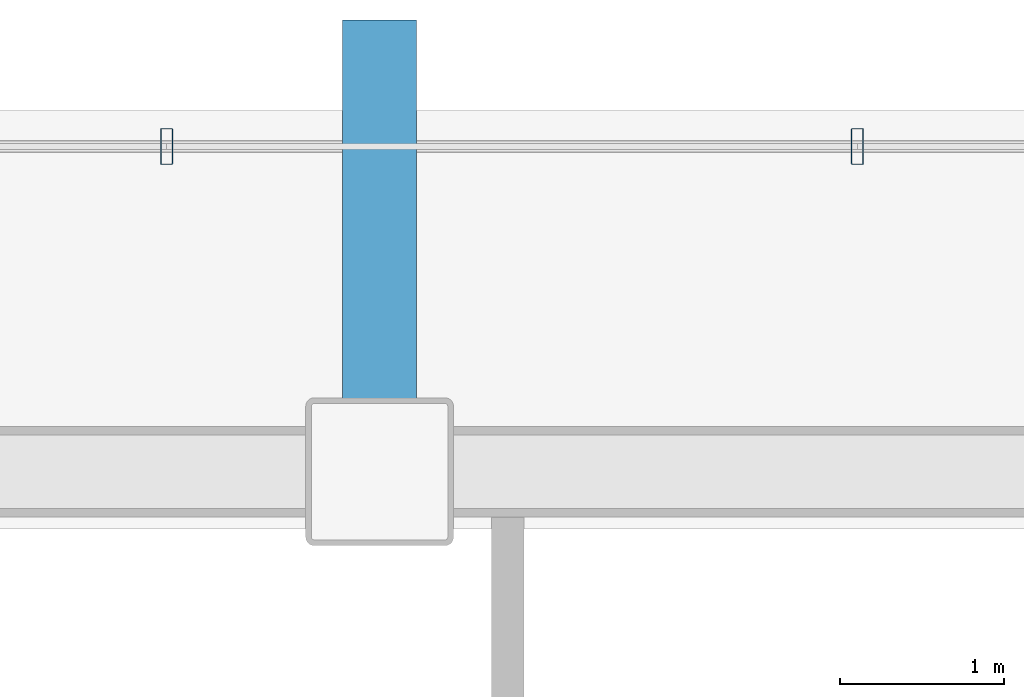
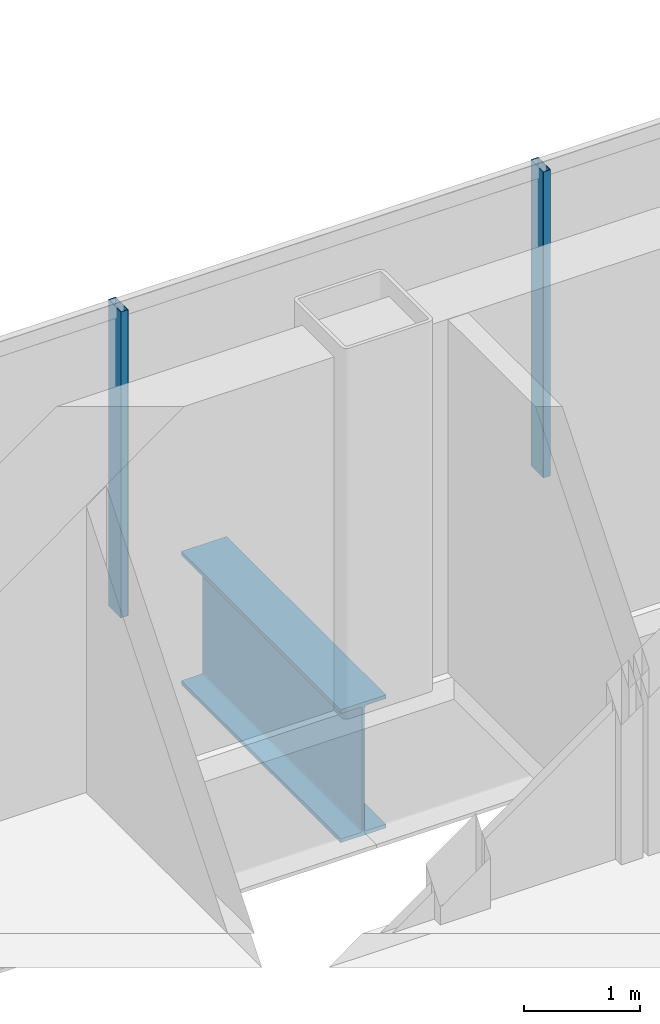
# One storey, part 13 of 24: 2 members, 1 beam, 1 element without a shape of its own.
"""IFC4 building model written with IfcOpenShell, lengths in metres."""

from ifc_helpers import new_model, si_unit, direction, frame, origin, origin_2d, place, context, subcontext, project, spatial, hollow_rectangle, i_section, extrude, material, material_profile, profile_set, type_object, element, aggregate, save


model = new_model("IFC4")

# Units and contexts
model_context = context("Model", 3, precision=1e-05, world=origin(), true_north=direction((0.0, 1.0)))
body_context = subcontext(model_context, "Body", "Model", "MODEL_VIEW")
ifc_project = project(units=[si_unit("LENGTHUNIT", "METRE"), si_unit("AREAUNIT", "SQUARE_METRE"), si_unit("VOLUMEUNIT", "CUBIC_METRE"), si_unit("PLANEANGLEUNIT", "RADIAN"), si_unit("MASSUNIT", "GRAM", prefix="KILO")], contexts=[model_context])

# Site, building, storey
site_placement = place(None, origin())
site = spatial("IfcSite", under=ifc_project, at=site_placement, CompositionType="ELEMENT")
building_placement = place(site_placement, origin())
building = spatial("IfcBuilding", under=site, at=building_placement, Name="Noeulbin Bourse Tower", CompositionType="ELEMENT")
storey_placement = place(building_placement, frame((0.0, 0.0, 114.89990234375)))
storey = spatial("IfcBuildingStorey", under=building, at=storey_placement, Name="L28", CompositionType="ELEMENT", Elevation=114.89990234375)

# Beam
ifc_material_1 = material(Name="Steel S460", Category="steel")
ifc_material_profile_1 = material_profile(ifc_material_1, i_section(OverallWidth=0.449951171875, OverallDepth=1.39990234375, WebThickness=0.02392578125, FlangeThickness=0.0400390625, FilletRadius=0.02392578125, at=origin_2d()), Name="PG-1400x450x24x40", Category="LoadBearing")
ifc_profile_set_1 = profile_set([ifc_material_profile_1], Name="Steel S460")
beam_type = type_object("IfcBeamType", Name="BM-TRF-1400", PredefinedType="USERDEFINED", material=ifc_profile_set_1)
beam_placement = place(storey_placement, frame((31.0, 38.300048828125, -0.93994140625), z_axis=(0.0, 1.0, 0.0), x_axis=(-1.0, 0.0, 0.0)))
element("IfcBeam", 1, at=beam_placement, inside=storey, type_object=beam_type, Name="Tower Primary Girder NS L28-3.4", ObjectType="GIRDER", PredefinedType="USERDEFINED", context=body_context, shape_type="SweptSolid", body=[
    extrude(i_section(OverallWidth=0.449951171875, OverallDepth=1.39990234375, WebThickness=0.02392578125, FlangeThickness=0.0400390625, FilletRadius=0.02392578125, at=origin_2d()), origin(), (0.0, 0.0, 1.0), 2.75),
])

# Curtain wall, members
ifc_material_2 = material(Name="Dark Tinted Triple Glazing", Category="glass")
curtain_wall_type = type_object("IfcCurtainWallType", Name="CW-SYS-3", PredefinedType="NOTDEFINED", material=ifc_material_2)
curtain_wall_placement = place(storey_placement, origin())
curtain_wall = element("IfcCurtainWall", 2, at=curtain_wall_placement, inside=storey, type_object=curtain_wall_type, Name="Unitised Curtain Wall CW-L28-N", PredefinedType="NOTDEFINED")
ifc_material_3 = material(Name="Anodised Aluminium 6063-T6", Category="aluminium")
ifc_material_profile_2 = material_profile(ifc_material_3, hollow_rectangle(XDim=0.074951171875, YDim=0.219970703125, WallThickness=0.0048828125, InnerFilletRadius=0.00244140625, OuterFilletRadius=0.0048828125, at=origin_2d()), Name="ALU-MULL-75x220x5", Category="LoadBearing")
ifc_profile_set_2 = profile_set([ifc_material_profile_2], Name="Anodised Aluminium 6063-T6")
member_type = type_object("IfcMemberType", Name="CW-SYS-3-MUL", PredefinedType="MULLION", material=ifc_profile_set_2)
member_1_placement = place(storey_placement, frame((29.7041015625, 40.280029296875, -0.02001953125), z_axis=(0.0, 0.0, 1.0), x_axis=(1.0, 0.0, 0.0)))
member_1 = element("IfcMember", 3, at=member_1_placement, type_object=member_type, Name="Curtain Wall Mullion CW-L28-N-M06", PredefinedType="MULLION", context=body_context, shape_type="SweptSolid", body=[
    extrude(hollow_rectangle(XDim=0.074951171875, YDim=0.219970703125, WallThickness=0.0048828125, InnerFilletRadius=0.00244140625, OuterFilletRadius=0.0048828125, at=origin_2d()), origin(), (0.0, 0.0, 1.0), 3.22021484375),
])
member_2_placement = place(storey_placement, frame((33.907958984375, 40.280029296875, -0.02001953125), z_axis=(0.0, 0.0, 1.0), x_axis=(1.0, 0.0, 0.0)))
member_2 = element("IfcMember", 4, at=member_2_placement, type_object=member_type, Name="Curtain Wall Mullion CW-L28-N-M07", PredefinedType="MULLION", context=body_context, shape_type="SweptSolid", body=[
    extrude(hollow_rectangle(XDim=0.074951171875, YDim=0.219970703125, WallThickness=0.0048828125, InnerFilletRadius=0.00244140625, OuterFilletRadius=0.0048828125, at=origin_2d()), origin(), (0.0, 0.0, 1.0), 3.22021484375),
])
aggregate(curtain_wall, [member_1, member_2])

save(model, "model.ifc")
